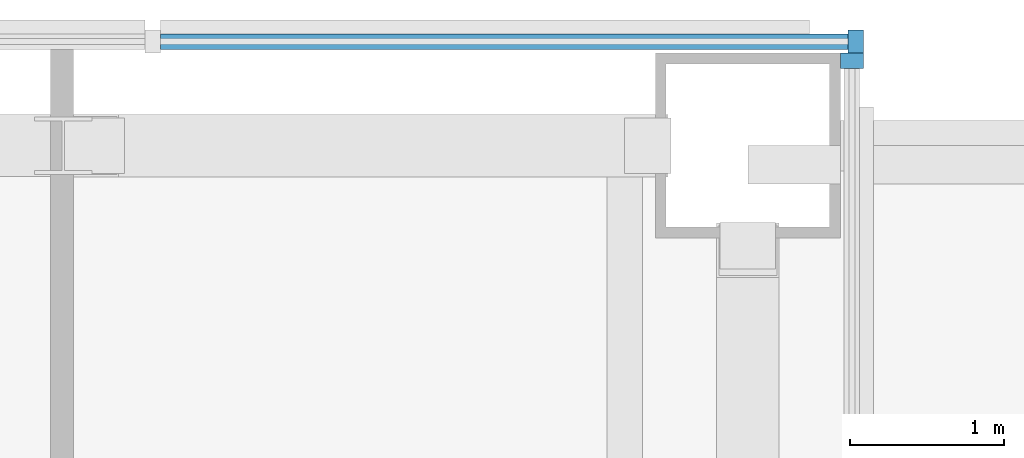
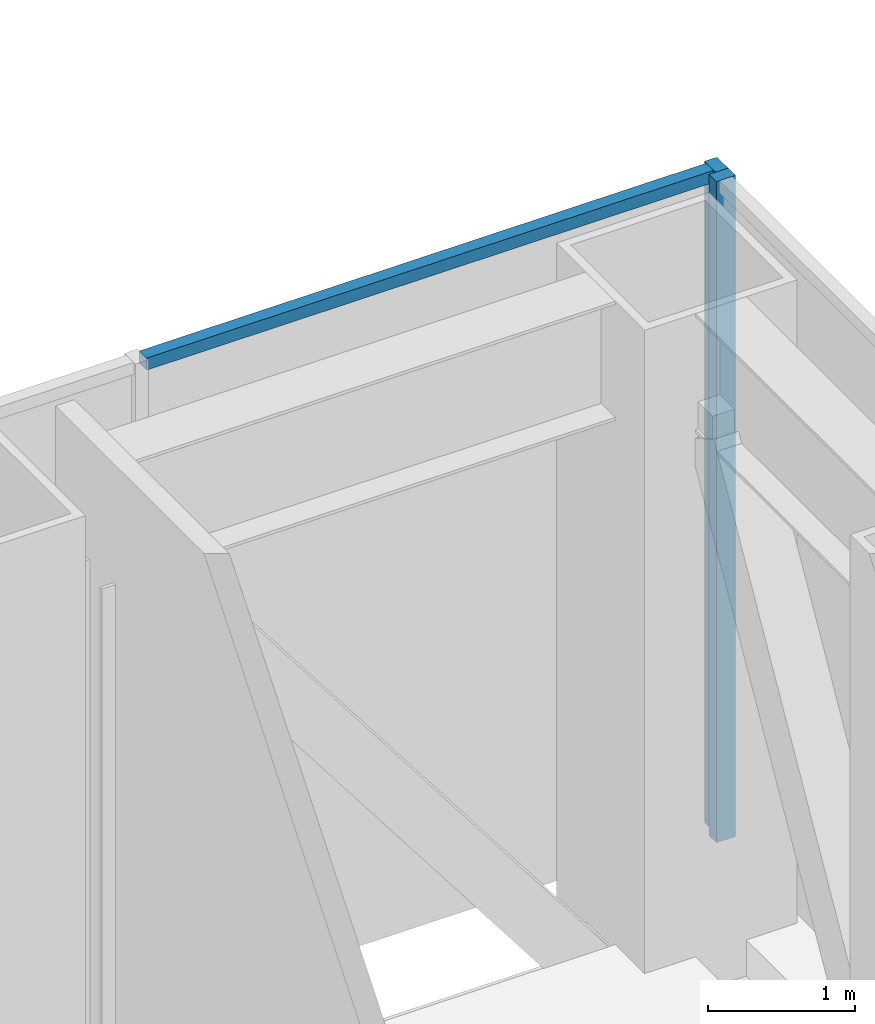
# One storey, part 14 of 39: 3 members, 2 elements without a shape of their own.
"""IFC4 building model written with IfcOpenShell, lengths in metres."""

from ifc_helpers import new_model, si_unit, direction, frame, origin, origin_2d, place, context, subcontext, project, spatial, rectangle, extrude, material, material_profile, profile_set, type_object, element, aggregate, save


model = new_model("IFC4")

# Units and contexts
model_context = context("Model", 3, precision=1e-05, world=origin(), true_north=direction((0.0, 1.0)))
body_context = subcontext(model_context, "Body", "Model", "MODEL_VIEW")
ifc_project = project(units=[si_unit("LENGTHUNIT", "METRE"), si_unit("AREAUNIT", "SQUARE_METRE"), si_unit("VOLUMEUNIT", "CUBIC_METRE"), si_unit("PLANEANGLEUNIT", "RADIAN"), si_unit("MASSUNIT", "GRAM", prefix="KILO")], contexts=[model_context])

# Site, building, storey
site_placement = place(None, origin())
site = spatial("IfcSite", under=ifc_project, at=site_placement, CompositionType="ELEMENT")
building_placement = place(site_placement, origin())
building = spatial("IfcBuilding", under=site, at=building_placement, Name="Cobrizo Arcos Hotel Tower", CompositionType="ELEMENT")
storey_placement = place(building_placement, frame((0.0, 0.0, 33.5)))
storey = spatial("IfcBuildingStorey", under=building, at=storey_placement, Name="L06", CompositionType="ELEMENT", Elevation=33.5)

# Curtain wall, member
ifc_material = material(Name="Aluminium 6063-T6 anodised bronze", Category="aluminium")
curtain_wall_type = type_object("IfcCurtainWallType", Name="CW-D plant louvre wall", PredefinedType="NOTDEFINED", material=ifc_material)
curtain_wall_1_placement = place(storey_placement, origin())
curtain_wall_1 = element("IfcCurtainWall", 1, at=curtain_wall_1_placement, inside=storey, type_object=curtain_wall_type, Name="CW-D L06 E face", PredefinedType="NOTDEFINED")
ifc_material_profile_1 = material_profile(ifc_material, rectangle(XDim=0.14990234375, YDim=0.10009765625, at=origin_2d()), Name="CW-D mullion 150x100")
ifc_profile_set_1 = profile_set([ifc_material_profile_1], Name="Aluminium 6063-T6 anodised bronze")
member_type_1 = type_object("IfcMemberType", Name="CW-D mullion 150x100", PredefinedType="MULLION", material=ifc_profile_set_1)
member_1_placement = place(storey_placement, frame((20.675048828125, 24.550048828125, 0.0), z_axis=(0.0, 0.0, 1.0), x_axis=(1.0, 0.0, 0.0)))
member_1 = element("IfcMember", 2, at=member_1_placement, type_object=member_type_1, Name="CW-D mullion 2", PredefinedType="MULLION", context=body_context, shape_type="SweptSolid", body=[
    extrude(rectangle(XDim=0.14990234375, YDim=0.10009765625, at=origin_2d()), origin(), (0.0, 0.0, 1.0), 5.5),
])
aggregate(curtain_wall_1, [member_1])

# Curtain wall, members
curtain_wall_2_placement = place(storey_placement, origin())
curtain_wall_2 = element("IfcCurtainWall", 3, at=curtain_wall_2_placement, inside=storey, type_object=curtain_wall_type, Name="CW-D L06 N face", PredefinedType="NOTDEFINED")
member_2_placement = place(storey_placement, frame((20.699951171875, 24.675048828125, 0.0), z_axis=(0.0, 0.0, 1.0), x_axis=(0.0, 1.0, 0.0)))
member_2 = element("IfcMember", 4, at=member_2_placement, type_object=member_type_1, Name="CW-D mullion 1", PredefinedType="MULLION", context=body_context, shape_type="SweptSolid", body=[
    extrude(rectangle(XDim=0.14990234375, YDim=0.10009765625, at=origin_2d()), origin(), (0.0, 0.0, 1.0), 5.5),
])
ifc_material_profile_2 = material_profile(ifc_material, rectangle(XDim=0.10009765625, YDim=0.10009765625, at=origin_2d()), Name="CW-D transom 100x100")
ifc_profile_set_2 = profile_set([ifc_material_profile_2], Name="Aluminium 6063-T6 anodised bronze")
member_type_2 = type_object("IfcMemberType", Name="CW-D transom 100x100", PredefinedType="USERDEFINED", material=ifc_profile_set_2)
member_3_placement = place(storey_placement, frame((20.64990234375, 24.675048828125, 5.449951171875), z_axis=(-1.0, 0.0, 0.0), x_axis=(0.0, -1.0, 0.0)))
member_3 = element("IfcMember", 5, at=member_3_placement, type_object=member_type_2, Name="CW-D transom 342", ObjectType="TRANSOM", PredefinedType="USERDEFINED", context=body_context, shape_type="SweptSolid", body=[
    extrude(rectangle(XDim=0.10009765625, YDim=0.10009765625, at=origin_2d()), origin(), (0.0, 0.0, 1.0), 4.4609375),
])
aggregate(curtain_wall_2, [member_2, member_3])

save(model, "model.ifc")
